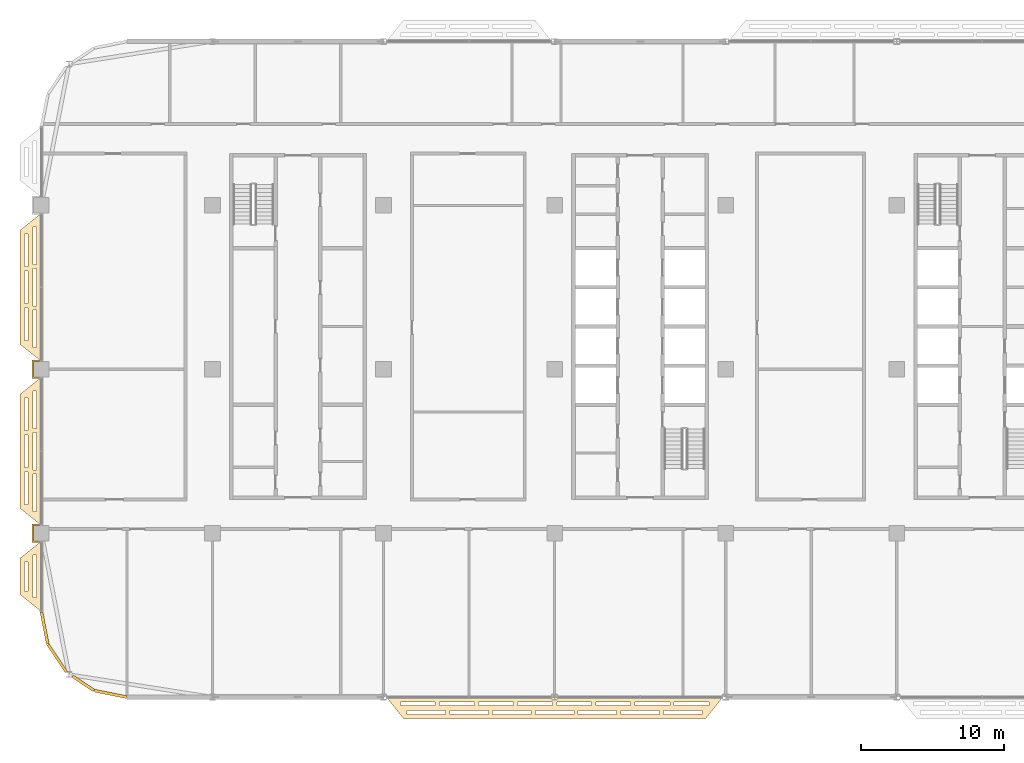
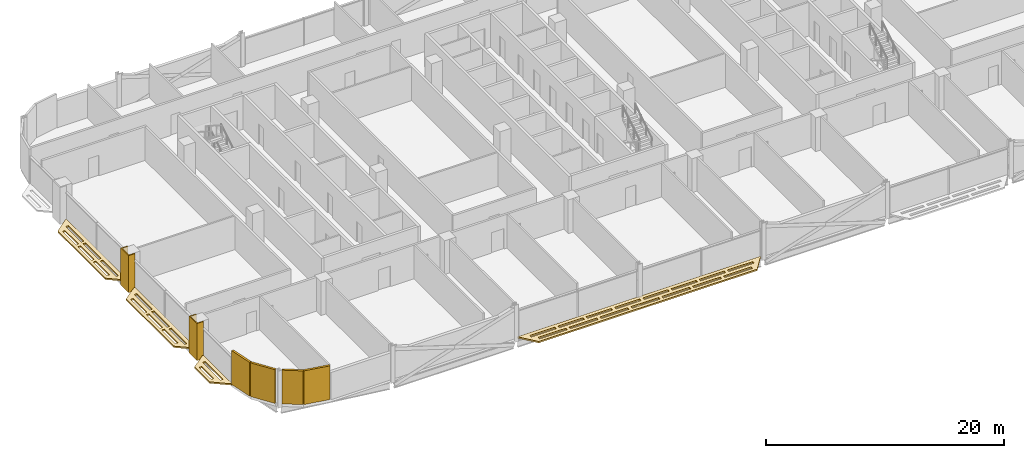
# One storey, part 25 of 30: 10 coverings.
"""IFC4 building model written with IfcOpenShell, lengths in metres."""

from ifc_helpers import new_model, si_unit, direction, frame, origin, origin_2d, place, context, subcontext, project, spatial, polyline, rectangle, outline, extrude, material, layer, layer_set, type_object, element, save


model = new_model("IFC4")

# Units and contexts
model_context = context("Model", 3, precision=1e-05, world=origin(), true_north=direction((0.0, 1.0)))
body_context = subcontext(model_context, "Body", "Model", "MODEL_VIEW")
ifc_project = project(units=[si_unit("LENGTHUNIT", "METRE"), si_unit("AREAUNIT", "SQUARE_METRE"), si_unit("VOLUMEUNIT", "CUBIC_METRE"), si_unit("PLANEANGLEUNIT", "RADIAN"), si_unit("MASSUNIT", "GRAM", prefix="KILO")], contexts=[model_context])

# Site, building, storey
site_placement = place(None, origin())
site = spatial("IfcSite", under=ifc_project, at=site_placement, CompositionType="ELEMENT")
building_placement = place(site_placement, origin())
building = spatial("IfcBuilding", under=site, at=building_placement, Name="Mahtab Terrace Research Tower", CompositionType="ELEMENT")
storey_placement = place(building_placement, frame((0.0, 0.0, 205.300048828125)))
storey = spatial("IfcBuildingStorey", under=building, at=storey_placement, Name="L49", CompositionType="ELEMENT", Elevation=205.300048828125)

# Coverings
ifc_material_1 = material(Name="Black aluminium cladding panel", Category="aluminium")
ifc_layer_1 = layer(ifc_material_1, 0.199951171875)
ifc_layer_set_1 = layer_set([ifc_layer_1], Name="Black metal corner cladding 200")
covering_type_1 = type_object("IfcCoveringType", Name="Black metal corner cladding 200", PredefinedType="CLADDING", material=ifc_layer_set_1)
for number, where, z_axis, x_axis, name in (
    (1, (-41.771484375, -18.14794921875, 0.0), (0.0, 0.0, 1.0), (0.195212442692, -0.980760981187, 0.0), "Corner cladding L49 19"),
    (2, (-40.89306640625, -20.26953125, 0.0), (0.0, 0.0, 1.0), (0.555291490808, -0.831655794326, 0.0), "Corner cladding L49 20"),
):
    element("IfcCovering", number, at=place(storey_placement, frame(where, z_axis=z_axis, x_axis=x_axis)), inside=storey, type_object=covering_type_1, Name=name, PredefinedType="CLADDING", context=body_context, shape_type="SweptSolid", body=[
        extrude(rectangle(XDim=2.30126953125, YDim=0.199951171875, at=origin_2d()), origin(), (0.0, 0.0, 1.0), 3.4599609375),
    ])
covering_1_placement = place(storey_placement, frame((-39.059814453125, -22.032958984375, 0.0), z_axis=(0.0, 0.0, 1.0), x_axis=(0.831655794326, -0.555291490808, 0.0)))
element("IfcCovering", 3, at=covering_1_placement, inside=storey, type_object=covering_type_1, Name="Corner cladding L49 21", PredefinedType="CLADDING", context=body_context, shape_type="SweptSolid", body=[
    extrude(rectangle(XDim=1.797119140625, YDim=0.199951171875, at=origin_2d()), origin(), (0.0, 0.0, 1.0), 3.4599609375),
])
covering_2_placement = place(storey_placement, frame((-37.14794921875, -22.771484375, 0.0), z_axis=(0.0, 0.0, 1.0), x_axis=(0.980760981187, -0.195212442692, 0.0)))
element("IfcCovering", 4, at=covering_2_placement, inside=storey, type_object=covering_type_1, Name="Corner cladding L49 22", PredefinedType="CLADDING", context=body_context, shape_type="SweptSolid", body=[
    extrude(rectangle(XDim=2.30126953125, YDim=0.199951171875, at=origin_2d()), origin(), (0.0, 0.0, 1.0), 3.4599609375),
])
ifc_material_2 = material(Name="Dark anodised aluminium cladding", Category="aluminium")
ifc_layer_2 = layer(ifc_material_2, 0.10009765625)
ifc_layer_set_2 = layer_set([ifc_layer_2], Name="Column casing 100")
covering_type_2 = type_object("IfcCoveringType", Name="Column casing 100", PredefinedType="CLADDING", material=ifc_layer_set_2)
covering_3_placement = place(storey_placement, frame((0.0, 0.0, -0.340087890625)))
element("IfcCovering", 5, at=covering_3_placement, inside=storey, type_object=covering_type_2, Name="Column casing RC-1A L49", PredefinedType="CLADDING", context=body_context, shape_type="SweptSolid", body=[
    extrude(outline(polyline([(-42.64990234375, -10.85009765625), (-42.0, -10.85009765625), (-42.0, -10.949951171875), (-42.550048828125, -10.949951171875), (-42.550048828125, -12.050048828125), (-42.0, -12.050048828125), (-42.0, -12.14990234375), (-42.64990234375, -12.14990234375), (-42.64990234375, -10.85009765625)])), origin(), (0.0, 0.0, 1.0), 3.800048828125),
])
covering_4_placement = place(storey_placement, frame((0.0, 0.0, -0.340087890625)))
element("IfcCovering", 6, at=covering_4_placement, inside=storey, type_object=covering_type_2, Name="Column casing RC-1B L49", PredefinedType="CLADDING", context=body_context, shape_type="SweptSolid", body=[
    extrude(outline(polyline([(-42.64990234375, 0.64990234375), (-42.0, 0.64990234375), (-42.0, 0.550048828125), (-42.550048828125, 0.550048828125), (-42.550048828125, -0.550048828125), (-42.0, -0.550048828125), (-42.0, -0.64990234375), (-42.64990234375, -0.64990234375), (-42.64990234375, 0.64990234375)])), origin(), (0.0, 0.0, 1.0), 3.800048828125),
])
ifc_material_3 = material(Name="Black anodised aluminium", Category="aluminium")
ifc_layer_3 = layer(ifc_material_3, 0.14990234375)
ifc_layer_set_3 = layer_set([ifc_layer_3], Name="Horizontal sunshade band")
covering_type_3 = type_object("IfcCoveringType", Name="Horizontal sunshade band", PredefinedType="CLADDING", material=ifc_layer_set_3)
covering_5_placement = place(storey_placement, frame((0.0, 0.0, -0.150146484375)))
element("IfcCovering", 7, at=covering_5_placement, inside=storey, type_object=covering_type_3, Name="Sunshade band L49 16", PredefinedType="CLADDING", context=body_context, shape_type="SweptSolid", body=[
    extrude(outline(polyline([(-42.0, 10.949951171875), (-42.0, 0.550048828125), (-43.5, 1.75), (-43.5, 9.75), (-42.0, 10.949951171875)]), holes=[polyline([(-42.35009765625, 9.969970703125), (-42.35009765625, 7.35693359375), (-42.60009765625, 7.35693359375), (-42.60009765625, 9.969970703125), (-42.35009765625, 9.969970703125)]), polyline([(-42.35009765625, 7.056884765625), (-42.35009765625, 4.443115234375), (-42.60009765625, 4.443115234375), (-42.60009765625, 7.056884765625), (-42.35009765625, 7.056884765625)]), polyline([(-42.35009765625, 4.14306640625), (-42.35009765625, 1.530029296875), (-42.60009765625, 1.530029296875), (-42.60009765625, 4.14306640625), (-42.35009765625, 4.14306640625)]), polyline([(-42.949951171875, 9.489990234375), (-42.949951171875, 7.197021484375), (-43.199951171875, 7.197021484375), (-43.199951171875, 9.489990234375), (-42.949951171875, 9.489990234375)]), polyline([(-42.949951171875, 6.89697265625), (-42.949951171875, 4.60302734375), (-43.199951171875, 4.60302734375), (-43.199951171875, 6.89697265625), (-42.949951171875, 6.89697265625)]), polyline([(-42.949951171875, 4.302978515625), (-42.949951171875, 2.010009765625), (-43.199951171875, 2.010009765625), (-43.199951171875, 4.302978515625), (-42.949951171875, 4.302978515625)])]), origin(), (0.0, 0.0, 1.0), 0.150146484375),
])
covering_6_placement = place(storey_placement, frame((0.0, 0.0, -0.150146484375)))
element("IfcCovering", 8, at=covering_6_placement, inside=storey, type_object=covering_type_3, Name="Sunshade band L49 17", PredefinedType="CLADDING", context=body_context, shape_type="SweptSolid", body=[
    extrude(outline(polyline([(-42.0, -0.550048828125), (-42.0, -10.949951171875), (-43.5, -9.75), (-43.5, -1.75), (-42.0, -0.550048828125)]), holes=[polyline([(-42.35009765625, -1.530029296875), (-42.35009765625, -4.14306640625), (-42.60009765625, -4.14306640625), (-42.60009765625, -1.530029296875), (-42.35009765625, -1.530029296875)]), polyline([(-42.35009765625, -4.443115234375), (-42.35009765625, -7.056884765625), (-42.60009765625, -7.056884765625), (-42.60009765625, -4.443115234375), (-42.35009765625, -4.443115234375)]), polyline([(-42.35009765625, -7.35693359375), (-42.35009765625, -9.969970703125), (-42.60009765625, -9.969970703125), (-42.60009765625, -7.35693359375), (-42.35009765625, -7.35693359375)]), polyline([(-42.949951171875, -2.010009765625), (-42.949951171875, -4.302978515625), (-43.199951171875, -4.302978515625), (-43.199951171875, -2.010009765625), (-42.949951171875, -2.010009765625)]), polyline([(-42.949951171875, -4.60302734375), (-42.949951171875, -6.89697265625), (-43.199951171875, -6.89697265625), (-43.199951171875, -4.60302734375), (-42.949951171875, -4.60302734375)]), polyline([(-42.949951171875, -7.197021484375), (-42.949951171875, -9.489990234375), (-43.199951171875, -9.489990234375), (-43.199951171875, -7.197021484375), (-42.949951171875, -7.197021484375)])]), origin(), (0.0, 0.0, 1.0), 0.150146484375),
])
covering_7_placement = place(storey_placement, frame((0.0, 0.0, -0.150146484375)))
element("IfcCovering", 9, at=covering_7_placement, inside=storey, type_object=covering_type_3, Name="Sunshade band L49 18", PredefinedType="CLADDING", context=body_context, shape_type="SweptSolid", body=[
    extrude(outline(polyline([(-42.0, -12.050048828125), (-42.0, -17.0), (-43.5, -15.800048828125), (-43.5, -13.25), (-42.0, -12.050048828125)]), holes=[polyline([(-42.35009765625, -13.030029296875), (-42.35009765625, -16.02001953125), (-42.60009765625, -16.02001953125), (-42.60009765625, -13.030029296875), (-42.35009765625, -13.030029296875)]), polyline([(-42.949951171875, -13.510009765625), (-42.949951171875, -15.5400390625), (-43.199951171875, -15.5400390625), (-43.199951171875, -13.510009765625), (-42.949951171875, -13.510009765625)])]), origin(), (0.0, 0.0, 1.0), 0.150146484375),
])
covering_8_placement = place(storey_placement, frame((0.0, 0.0, -0.150146484375)))
element("IfcCovering", 10, at=covering_8_placement, inside=storey, type_object=covering_type_3, Name="Sunshade band L49 25", PredefinedType="CLADDING", context=body_context, shape_type="SweptSolid", body=[
    extrude(outline(polyline([(-17.800048828125, -23.0), (5.800048828125, -23.0), (4.60009765625, -24.5), (-16.60009765625, -24.5), (-17.800048828125, -23.0)]), holes=[polyline([(-16.820068359375, -23.35009765625), (-14.3779296875, -23.35009765625), (-14.3779296875, -23.60009765625), (-16.820068359375, -23.60009765625), (-16.820068359375, -23.35009765625)]), polyline([(-14.077880859375, -23.35009765625), (-11.635009765625, -23.35009765625), (-11.635009765625, -23.60009765625), (-14.077880859375, -23.60009765625), (-14.077880859375, -23.35009765625)]), polyline([(-11.3349609375, -23.35009765625), (-8.89306640625, -23.35009765625), (-8.89306640625, -23.60009765625), (-11.3349609375, -23.60009765625), (-11.3349609375, -23.35009765625)]), polyline([(-8.593017578125, -23.35009765625), (-6.14990234375, -23.35009765625), (-6.14990234375, -23.60009765625), (-8.593017578125, -23.60009765625), (-8.593017578125, -23.35009765625)]), polyline([(-5.85009765625, -23.35009765625), (-3.406982421875, -23.35009765625), (-3.406982421875, -23.60009765625), (-5.85009765625, -23.60009765625), (-5.85009765625, -23.35009765625)]), polyline([(-3.10791015625, -23.35009765625), (-0.6650390625, -23.35009765625), (-0.6650390625, -23.60009765625), (-3.10791015625, -23.60009765625), (-3.10791015625, -23.35009765625)]), polyline([(-0.364990234375, -23.35009765625), (2.077880859375, -23.35009765625), (2.077880859375, -23.60009765625), (-0.364990234375, -23.60009765625), (-0.364990234375, -23.35009765625)]), polyline([(2.376953125, -23.35009765625), (4.820068359375, -23.35009765625), (4.820068359375, -23.60009765625), (2.376953125, -23.60009765625), (2.376953125, -23.35009765625)]), polyline([(-16.340087890625, -23.949951171875), (-13.64306640625, -23.949951171875), (-13.64306640625, -24.199951171875), (-16.340087890625, -24.199951171875), (-16.340087890625, -23.949951171875)]), polyline([(-13.343017578125, -23.949951171875), (-10.64599609375, -23.949951171875), (-10.64599609375, -24.199951171875), (-13.343017578125, -24.199951171875), (-13.343017578125, -23.949951171875)]), polyline([(-10.345947265625, -23.949951171875), (-7.64892578125, -23.949951171875), (-7.64892578125, -24.199951171875), (-10.345947265625, -24.199951171875), (-10.345947265625, -23.949951171875)]), polyline([(-7.34912109375, -23.949951171875), (-4.65087890625, -23.949951171875), (-4.65087890625, -24.199951171875), (-7.34912109375, -24.199951171875), (-7.34912109375, -23.949951171875)]), polyline([(-4.35107421875, -23.949951171875), (-1.654052734375, -23.949951171875), (-1.654052734375, -24.199951171875), (-4.35107421875, -24.199951171875), (-4.35107421875, -23.949951171875)]), polyline([(-1.35400390625, -23.949951171875), (1.343017578125, -23.949951171875), (1.343017578125, -24.199951171875), (-1.35400390625, -24.199951171875), (-1.35400390625, -23.949951171875)]), polyline([(1.64306640625, -23.949951171875), (4.340087890625, -23.949951171875), (4.340087890625, -24.199951171875), (1.64306640625, -24.199951171875), (1.64306640625, -23.949951171875)])]), origin(), (0.0, 0.0, 1.0), 0.150146484375),
])

save(model, "model.ifc")
